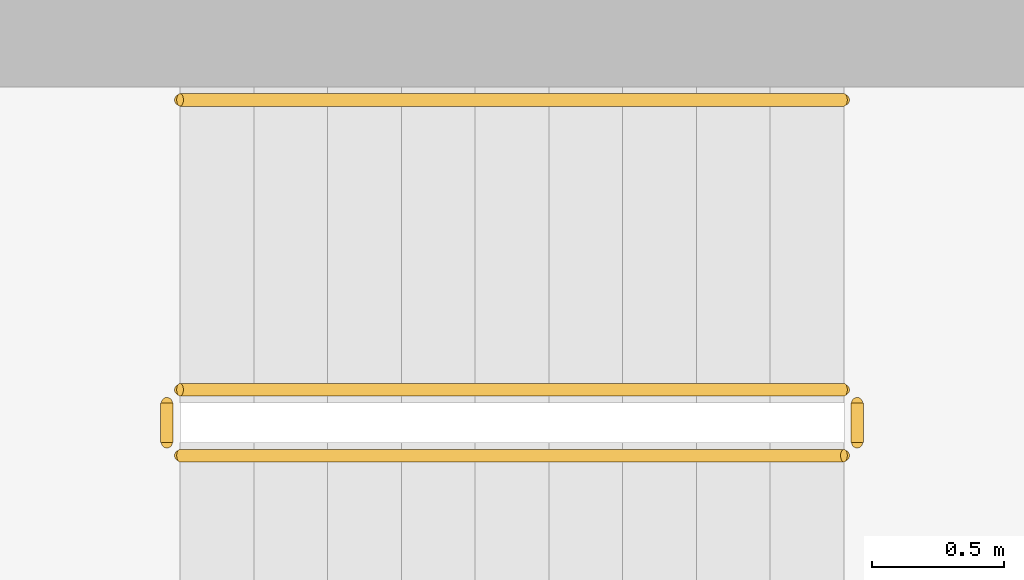
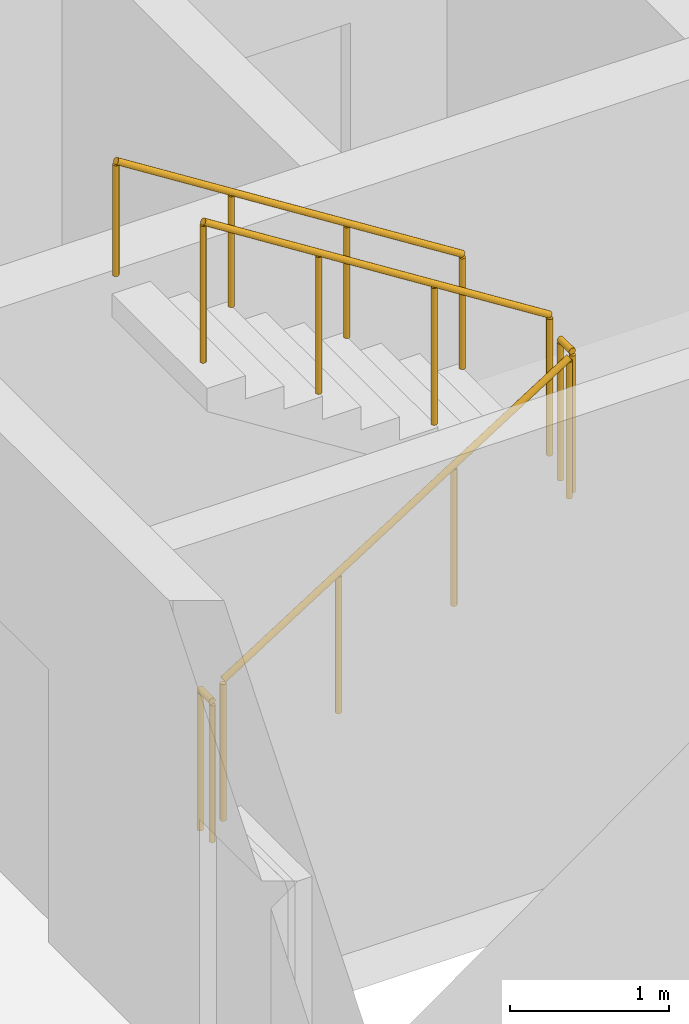
# One storey, part 15 of 17: 5 railings.
"""IFC4 building model written with IfcOpenShell, lengths in metres."""

from ifc_helpers import new_model, si_unit, direction, frame, origin, origin_2d, place, context, subcontext, project, spatial, circle, extrude, material, type_object, element, save


model = new_model("IFC4")

# Units and contexts
model_context = context("Model", 3, precision=1e-05, world=origin(), true_north=direction((0.0, 1.0)))
body_context = subcontext(model_context, "Body", "Model", "MODEL_VIEW")
ifc_project = project(units=[si_unit("LENGTHUNIT", "METRE"), si_unit("AREAUNIT", "SQUARE_METRE"), si_unit("VOLUMEUNIT", "CUBIC_METRE"), si_unit("PLANEANGLEUNIT", "RADIAN"), si_unit("MASSUNIT", "GRAM", prefix="KILO")], contexts=[model_context])

# Site, building, storey
site_placement = place(None, origin())
site = spatial("IfcSite", under=ifc_project, at=site_placement, CompositionType="ELEMENT")
building_placement = place(site_placement, origin())
building = spatial("IfcBuilding", under=site, at=building_placement, Name="Ostrand Prow Hotel Tower", CompositionType="ELEMENT")
storey_placement = place(building_placement, frame((0.0, 0.0, 151.5)))
storey = spatial("IfcBuildingStorey", under=building, at=storey_placement, Name="L37", CompositionType="ELEMENT", Elevation=151.5)

# Railings
ifc_material_1 = material(Name="Painted steel", Category="steel")
railing_type_1 = type_object("IfcRailingType", Name="Stair guard 1100", PredefinedType="GUARDRAIL", material=ifc_material_1)
railing_1_placement = place(storey_placement, frame((57.199951171875, -11.75, 0.177490234375)))
element("IfcRailing", 1, at=railing_1_placement, inside=storey, type_object=railing_type_1, Name="L37 ST2C stair guard 1", PredefinedType="GUARDRAIL", context=body_context, shape_type="SweptSolid", body=[
    extrude(circle(Radius=0.02392578125, at=origin_2d()), frame((0.0, 0.0, 1.076171875), z_axis=(0.84460694969, 0.0, 0.535386869969), x_axis=(0.0, 1.0, 0.0)), (0.0, 0.0, 1.0), 2.983642578125),
    extrude(circle(Radius=0.02099609375, at=origin_2d()), origin(), (0.0, 0.0, 1.0), 1.052001953125),
    extrude(circle(Radius=0.02099609375, at=origin_2d()), frame((0.840087890625, 0.0, 0.532470703125)), (0.0, 0.0, 1.0), 1.052001953125),
    extrude(circle(Radius=0.02099609375, at=origin_2d()), frame((1.679931640625, 0.0, 1.06494140625)), (0.0, 0.0, 1.0), 1.052001953125),
    extrude(circle(Radius=0.02099609375, at=origin_2d()), frame((2.52001953125, 0.0, 1.597412109375)), (0.0, 0.0, 1.0), 1.052001953125),
])
railing_2_placement = place(storey_placement, frame((59.77001953125, -11.699951171875, 1.77490234375)))
element("IfcRailing", 2, at=railing_2_placement, inside=storey, type_object=railing_type_1, Name="L37 ST2C stair guard 2", PredefinedType="GUARDRAIL", context=body_context, shape_type="SweptSolid", body=[
    extrude(circle(Radius=0.02392578125, at=origin_2d()), frame((0.0, 0.0, 1.076171875), z_axis=(0.0, 1.0, 0.0), x_axis=(-1.0, 0.0, 0.0)), (0.0, 0.0, 1.0), 0.14990234375),
    extrude(circle(Radius=0.02099609375, at=origin_2d()), origin(), (0.0, 0.0, 1.0), 1.052001953125),
    extrude(circle(Radius=0.02099609375, at=origin_2d()), frame((0.0, 0.14990234375, 0.0)), (0.0, 0.0, 1.0), 1.052001953125),
])
railing_3_placement = place(storey_placement, frame((59.719970703125, -11.5, 1.952392578125)))
element("IfcRailing", 3, at=railing_3_placement, inside=storey, type_object=railing_type_1, Name="L37 ST2C stair guard 3", PredefinedType="GUARDRAIL", context=body_context, shape_type="SweptSolid", body=[
    extrude(circle(Radius=0.02392578125, at=origin_2d()), frame((0.0, 0.0, 1.076171875), z_axis=(-0.84456994832, 0.0, 0.535445237532), x_axis=(0.0, -1.0, 0.0)), (0.0, 0.0, 1.0), 2.98388671875),
    extrude(circle(Radius=0.02099609375, at=origin_2d()), origin(), (0.0, 0.0, 1.0), 1.052001953125),
    extrude(circle(Radius=0.02099609375, at=origin_2d()), frame((-0.840087890625, 0.0, 0.532470703125)), (0.0, 0.0, 1.0), 1.052001953125),
    extrude(circle(Radius=0.02099609375, at=origin_2d()), frame((-1.679931640625, 0.0, 1.065185546875)), (0.0, 0.0, 1.0), 1.052001953125),
    extrude(circle(Radius=0.02099609375, at=origin_2d()), frame((-2.52001953125, 0.0, 1.59765625)), (0.0, 0.0, 1.0), 1.052001953125),
])
railing_4_placement = place(storey_placement, frame((57.14990234375, -11.699951171875, 0.0)))
element("IfcRailing", 4, at=railing_4_placement, inside=storey, type_object=railing_type_1, Name="L37 ST2C stair guard 4", PredefinedType="GUARDRAIL", context=body_context, shape_type="SweptSolid", body=[
    extrude(circle(Radius=0.02392578125, at=origin_2d()), frame((0.0, 0.0, 1.076171875), z_axis=(0.0, 1.0, 0.0), x_axis=(-1.0, 0.0, 0.0)), (0.0, 0.0, 1.0), 0.14990234375),
    extrude(circle(Radius=0.02099609375, at=origin_2d()), origin(), (0.0, 0.0, 1.0), 1.052001953125),
    extrude(circle(Radius=0.02099609375, at=origin_2d()), frame((0.0, 0.14990234375, 0.0)), (0.0, 0.0, 1.0), 1.052001953125),
])
ifc_material_2 = material(Name="Stainless steel", Category="steel")
railing_type_2 = type_object("IfcRailingType", Name="Stair handrail 900", PredefinedType="HANDRAIL", material=ifc_material_2)
railing_5_placement = place(storey_placement, frame((59.719970703125, -10.39990234375, 1.952392578125)))
element("IfcRailing", 5, at=railing_5_placement, inside=storey, type_object=railing_type_2, Name="L37 ST2C stair handrail 2", PredefinedType="HANDRAIL", context=body_context, shape_type="SweptSolid", body=[
    extrude(circle(Radius=0.02392578125, at=origin_2d()), frame((0.0, 0.0, 0.8759765625), z_axis=(-0.84456994832, 0.0, 0.535445237532), x_axis=(0.0, -1.0, 0.0)), (0.0, 0.0, 1.0), 2.98388671875),
    extrude(circle(Radius=0.02099609375, at=origin_2d()), origin(), (0.0, 0.0, 1.0), 0.851806640625),
    extrude(circle(Radius=0.02099609375, at=origin_2d()), frame((-0.840087890625, 0.0, 0.532470703125)), (0.0, 0.0, 1.0), 0.851806640625),
    extrude(circle(Radius=0.02099609375, at=origin_2d()), frame((-1.679931640625, 0.0, 1.065185546875)), (0.0, 0.0, 1.0), 0.851806640625),
    extrude(circle(Radius=0.02099609375, at=origin_2d()), frame((-2.52001953125, 0.0, 1.59765625)), (0.0, 0.0, 1.0), 0.851806640625),
])

save(model, "model.ifc")
